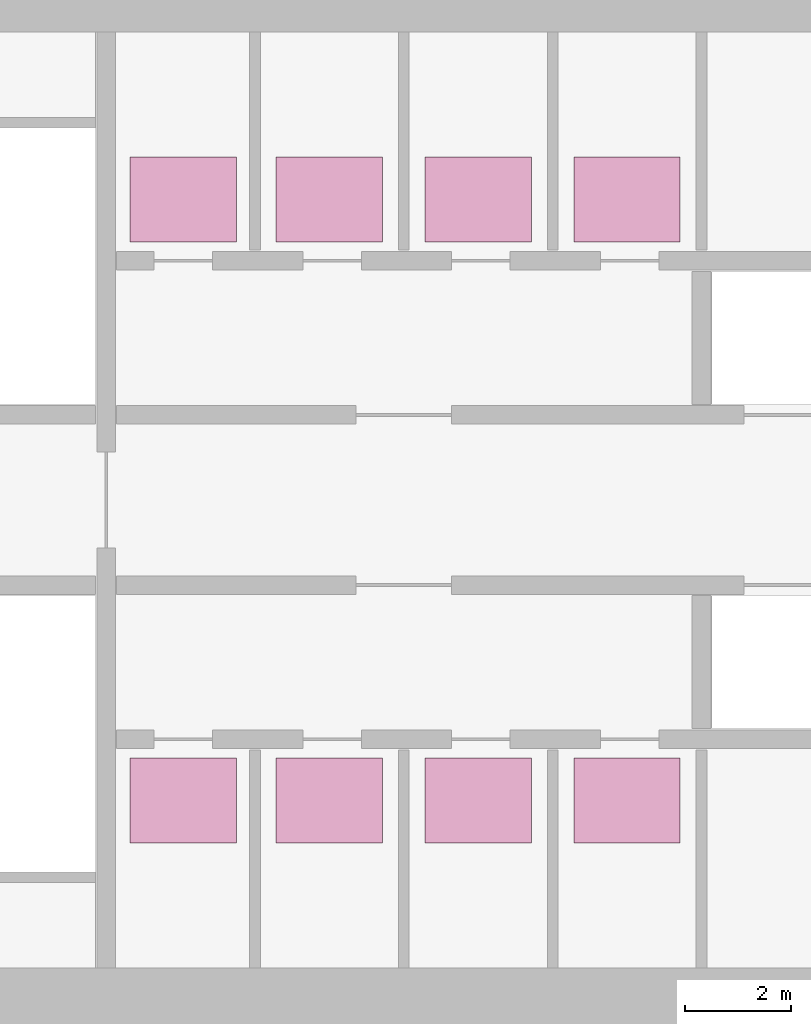
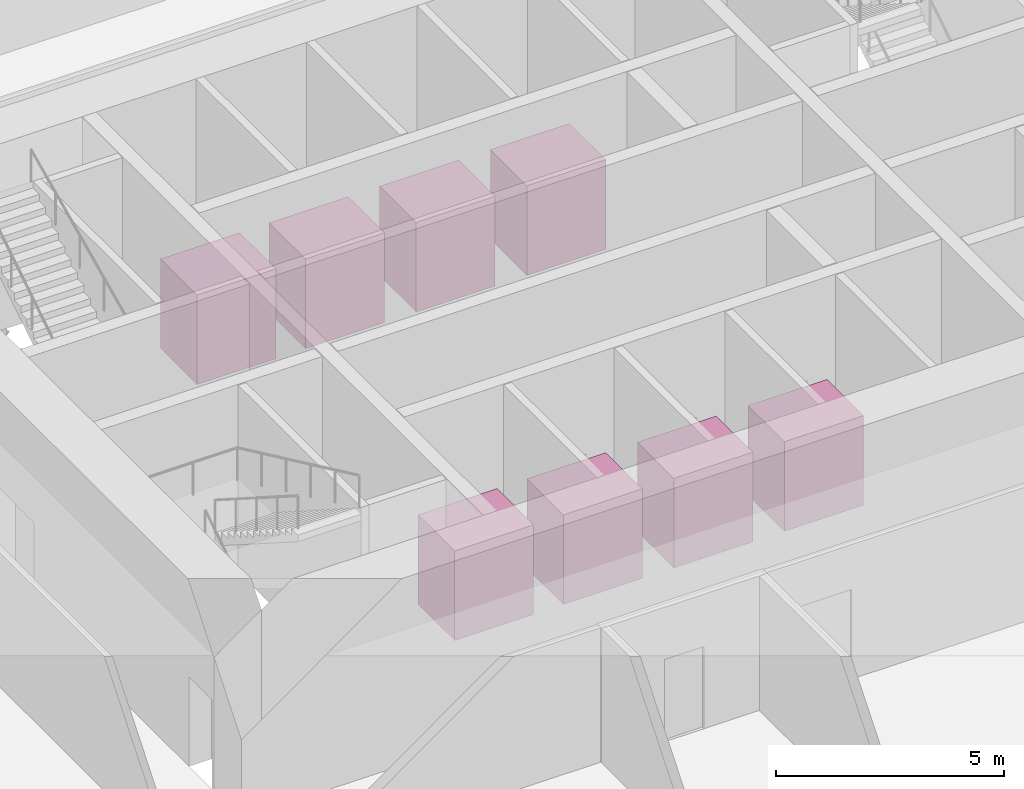
# One storey, part 18 of 18: 8 transport elements.
"""IFC4 building model written with IfcOpenShell, lengths in metres."""

import ifcopenshell
import ifcopenshell.guid

model = None  # the IFC model being written
_history = None  # IfcOwnerHistory: only IFC2X3 demands one
_inside = {}  # id of a spatial element -> (the spatial element, [elements in it])
_under = {}  # id of a project, library or spatial element -> (it, [spatial elements below it])
_declared = {}  # id of a project -> (the project, [libraries it declares])
_typed = {}  # id of a type object -> (the type object, [elements of that type])
_made_of = {}  # id of a material, layer set ... -> (it, [elements and type objects made of it])


def new_model(schema):
    """Start an empty IFC model of exactly this schema.

    Asked for "IFC4X3", IfcOpenShell would pick the latest addendum, in which some entities
    have other attributes; the version numbers below select the first issue.
    IFC2X3 requires an IfcOwnerHistory on every rooted entity: one is made here for all.
    """
    global model, _history
    if schema == "IFC4X3":
        model = ifcopenshell.file(schema_version=(4, 3, 0, 0))
    else:
        model = ifcopenshell.file(schema=schema)
    _inside.clear()
    _under.clear()
    _declared.clear()
    _typed.clear()
    _made_of.clear()
    _history = None
    if model.schema == "IFC2X3":
        org = make("IfcOrganization", Name="unknown")
        user = make(
            "IfcPersonAndOrganization",
            ThePerson=make("IfcPerson", FamilyName="unknown"),
            TheOrganization=org,
        )
        app = make(
            "IfcApplication",
            ApplicationDeveloper=org,
            Version="unknown",
            ApplicationFullName="unknown",
            ApplicationIdentifier="unknown",
        )
        _history = make(
            "IfcOwnerHistory",
            OwningUser=user,
            OwningApplication=app,
            ChangeAction="ADDED",
            CreationDate=0,
        )
    return model


def make(cls, **values):
    """One entity of the class cls with the attributes given. An attribute that is None is left unset."""
    return model.create_entity(
        cls, **{name: value for name, value in values.items() if value is not None}
    )


def rooted(cls, **values):
    """An entity with a GlobalId (a new one), such as an element, a storey or a relation."""
    return make(cls, GlobalId=ifcopenshell.guid.new(), OwnerHistory=_history, **values)


def si_unit(unit_type, name, prefix=None):
    """IfcSIUnit, for example si_unit("LENGTHUNIT", "METRE", prefix="MILLI")."""
    return make("IfcSIUnit", UnitType=unit_type, Prefix=prefix, Name=name)


def assignment(units):
    """IfcUnitAssignment: the units of a project."""
    return None if units is None else make("IfcUnitAssignment", Units=units)


def point(xyz):
    """IfcCartesianPoint."""
    return None if xyz is None else make("IfcCartesianPoint", Coordinates=xyz)


def direction(xyz):
    """IfcDirection."""
    return None if xyz is None else make("IfcDirection", DirectionRatios=xyz)


def frame(location, z_axis=None, x_axis=None):
    """IfcAxis2Placement3D, a coordinate frame: its origin and axes. An axis left out is left unset."""
    return make(
        "IfcAxis2Placement3D",
        Location=point(location),
        Axis=direction(z_axis),
        RefDirection=direction(x_axis),
    )


def frame_2d(location, x_axis=None):
    """IfcAxis2Placement2D, a coordinate frame in the plane: its origin and x axis."""
    return make(
        "IfcAxis2Placement2D", Location=point(location), RefDirection=direction(x_axis)
    )


def origin():
    """The frame at (0, 0, 0) with its axes left unset."""
    return frame((0.0, 0.0, 0.0))


def origin_2d():
    """The frame at (0, 0) in the plane with its x axis left unset."""
    return frame_2d((0.0, 0.0))


def place(relative_to, where):
    """IfcLocalPlacement: puts the frame where relative to a parent placement (None: the world)."""
    return make(
        "IfcLocalPlacement", PlacementRelTo=relative_to, RelativePlacement=where
    )


def context(
    kind, dimensions, precision=None, world=None, true_north=None, identifier=None
):
    """IfcGeometricRepresentationContext, for example the 3D "Model" context."""
    return make(
        "IfcGeometricRepresentationContext",
        ContextIdentifier=identifier,
        ContextType=kind,
        CoordinateSpaceDimension=dimensions,
        Precision=precision,
        WorldCoordinateSystem=world,
        TrueNorth=true_north,
    )


def subcontext(parent, identifier, kind, view, scale=None):
    """IfcGeometricRepresentationSubContext, for example "Body" below "Model"."""
    return make(
        "IfcGeometricRepresentationSubContext",
        ContextIdentifier=identifier,
        ContextType=kind,
        ParentContext=parent,
        TargetScale=scale,
        TargetView=view,
    )


def project(units=None, contexts=None):
    """IfcProject with its units and contexts."""
    return rooted(
        "IfcProject",
        Name="project",
        RepresentationContexts=contexts,
        UnitsInContext=assignment(units),
    )


def spatial(cls, under=None, at=None, **own):
    """A site, building, storey or space (cls), placed at a placement, below another one or the project."""
    s = rooted(cls, ObjectPlacement=at, **own)
    if under is not None:
        _under.setdefault(under.id(), (under, []))[1].append(s)
    return s


def profile(cls, at=None, kind="AREA", **sizes):
    """A parametric profile (cls). Its sizes go by their IFC names, for example OverallWidth=200.0."""
    return make(cls, ProfileType=kind, Position=at, **sizes)


def rectangle(**sizes):
    """IfcRectangleProfileDef."""
    return profile("IfcRectangleProfileDef", **sizes)


def extrude(swept, where, along, depth):
    """IfcExtrudedAreaSolid: the profile swept, set in the frame where, extruded along a direction by depth."""
    return make(
        "IfcExtrudedAreaSolid",
        SweptArea=swept,
        Position=where,
        ExtrudedDirection=direction(along),
        Depth=depth,
    )


def shape(context_of_items, identifier, shape_type, items):
    """IfcShapeRepresentation: the items that make up one representation, for example the "Body"."""
    return make(
        "IfcShapeRepresentation",
        ContextOfItems=context_of_items,
        RepresentationIdentifier=identifier,
        RepresentationType=shape_type,
        Items=items,
    )


def material(Name=None, Category=None):
    """IfcMaterial."""
    return make("IfcMaterial", Name=Name, Category=Category)


def made_of(thing, what):
    """Note that an element or type object is made of a material, layer set ...; save() writes the relation."""
    if what is not None:
        _made_of.setdefault(what.id(), (what, []))[1].append(thing)
    return thing


def type_object(cls, material=None, **own):
    """A type object (cls), such as IfcWallType, which elements share."""
    return made_of(rooted(cls, **own), material)


def element(
    cls,
    number,
    at=None,
    inside=None,
    cuts=None,
    type_object=None,
    material=None,
    context=None,
    identifier="Body",
    shape_type=None,
    held_by="IfcProductDefinitionShape",
    body=None,
    shapes=None,
    **own,
):
    """One element of the class cls, such as IfcWall. Its Tag is "e" and its number.

    at: its placement. inside: the storey or other place that contains it. cuts: it is an
    opening in that element (IfcRelVoidsElement). A single representation is given by context,
    identifier, shape_type and body (its items); several are given by shapes. held_by: the class
    of the entity that holds the representations. save() writes the other relations.
    """
    e = rooted(cls, Tag="e%d" % number, ObjectPlacement=at, **own)
    if body is not None:
        shapes = [shape(context, identifier, shape_type, body)]
    if shapes is not None:
        e.Representation = make(held_by, Representations=shapes)
    if inside is not None:
        _inside.setdefault(inside.id(), (inside, []))[1].append(e)
    if cuts is not None:
        rooted(
            "IfcRelVoidsElement", RelatingBuildingElement=cuts, RelatedOpeningElement=e
        )
    if type_object is not None:
        _typed.setdefault(type_object.id(), (type_object, []))[1].append(e)
    return made_of(e, material)


def aggregate(whole, parts):
    """IfcRelAggregates: a whole, such as a stair, and the parts it consists of."""
    return rooted("IfcRelAggregates", RelatingObject=whole, RelatedObjects=parts)


def save(model, path):
    """Write the relations noted so far, then the file.

    IfcRelAggregates (storeys below a building ...), IfcRelContainedInSpatialStructure (elements
    in a storey), IfcRelDefinesByType, IfcRelAssociatesMaterial and IfcRelDeclares: one each for
    every whole, place, type object, material and project.
    """
    for whole, parts in _under.values():
        aggregate(whole, parts)
    for where, things in _inside.values():
        rooted(
            "IfcRelContainedInSpatialStructure",
            RelatedElements=things,
            RelatingStructure=where,
        )
    for kind, things in _typed.values():
        rooted("IfcRelDefinesByType", RelatedObjects=things, RelatingType=kind)
    for what, things in _made_of.values():
        rooted("IfcRelAssociatesMaterial", RelatedObjects=things, RelatingMaterial=what)
    for by, libraries in _declared.values():
        rooted("IfcRelDeclares", RelatingContext=by, RelatedDefinitions=libraries)
    model.write(path)


model = new_model("IFC4")

# Units and contexts
model_context = context("Model", 3, precision=1e-05, world=origin(), true_north=direction((0.0, 1.0)))
body_context = subcontext(model_context, "Body", "Model", "MODEL_VIEW")
ifc_project = project(units=[si_unit("LENGTHUNIT", "METRE"), si_unit("AREAUNIT", "SQUARE_METRE"), si_unit("VOLUMEUNIT", "CUBIC_METRE"), si_unit("PLANEANGLEUNIT", "RADIAN"), si_unit("MASSUNIT", "GRAM", prefix="KILO")], contexts=[model_context])

# Site, building, storey
site_placement = place(None, origin())
site = spatial("IfcSite", under=ifc_project, at=site_placement, CompositionType="ELEMENT")
building_placement = place(site_placement, origin())
building = spatial("IfcBuilding", under=site, at=building_placement, Name="Ghaith Harvest Tower", CompositionType="ELEMENT")
storey_placement = place(building_placement, frame((0.0, 0.0, 184.800048828125)))
storey = spatial("IfcBuildingStorey", under=building, at=storey_placement, Name="L40", CompositionType="ELEMENT", Elevation=184.800048828125)

# Transport elements
ifc_material = material(Name="Steel lift car", Category="steel")
transport_element_type = type_object("IfcTransportElementType", Name="LIFT CAR 2000x1600", PredefinedType="ELEVATOR", material=ifc_material)
for number, where, z_axis, x_axis, name in (
    (1, (-5.550048828125, 5.64990234375, 0.0), (0.0, 0.0, 1.0), (1.0, 0.0, 0.0), "Lift HR1"),
    (2, (-5.550048828125, -5.64990234375, 0.0), (0.0, 0.0, 1.0), (1.0, 0.0, 0.0), "Lift TR1"),
    (3, (-2.800048828125, 5.64990234375, 0.0), (0.0, 0.0, 1.0), (1.0, 0.0, 0.0), "Lift HR2"),
    (4, (-2.800048828125, -5.64990234375, 0.0), (0.0, 0.0, 1.0), (1.0, 0.0, 0.0), "Lift TR2"),
    (5, (0.0, 5.64990234375, 0.0), (0.0, 0.0, 1.0), (1.0, 0.0, 0.0), "Lift HR3"),
    (6, (0.0, -5.64990234375, 0.0), (0.0, 0.0, 1.0), (1.0, 0.0, 0.0), "Lift TR3"),
    (7, (2.800048828125, 5.64990234375, 0.0), (0.0, 0.0, 1.0), (1.0, 0.0, 0.0), "Lift HR4"),
    (8, (2.800048828125, -5.64990234375, 0.0), (0.0, 0.0, 1.0), (1.0, 0.0, 0.0), "Lift TR4"),
):
    element("IfcTransportElement", number, at=place(storey_placement, frame(where, z_axis=z_axis, x_axis=x_axis)), inside=storey, type_object=transport_element_type, Name=name, PredefinedType="ELEVATOR", context=body_context, shape_type="SweptSolid", body=[
        extrude(rectangle(XDim=2.0, YDim=1.60009765625, at=origin_2d()), origin(), (0.0, 0.0, 1.0), 2.39990234375),
    ])

save(model, "model.ifc")
